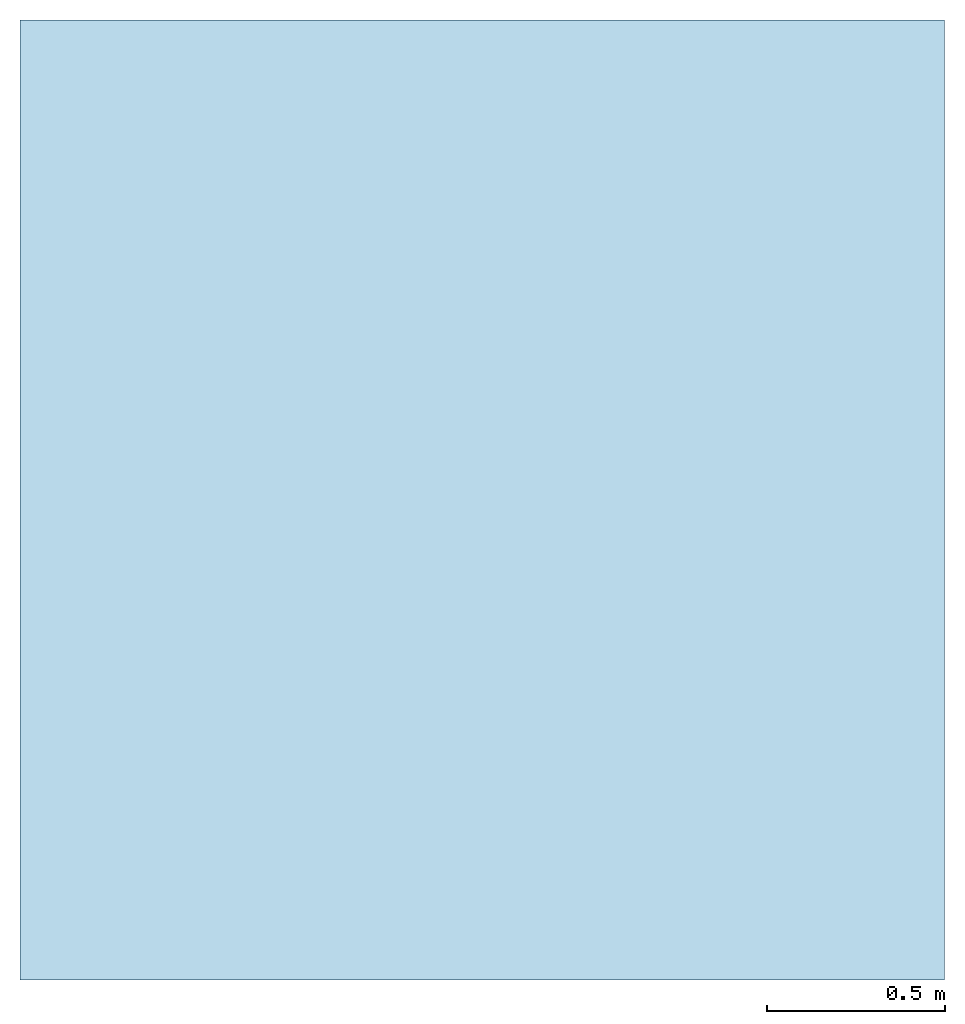
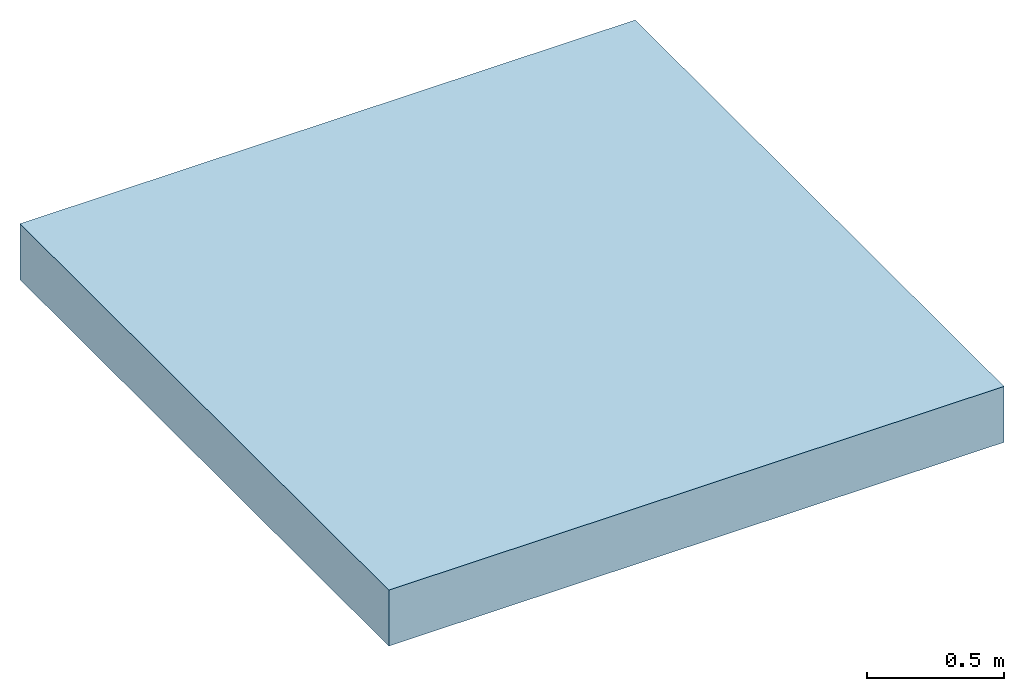
# One storey: 1 slab.
"""IFC4 building model written with IfcOpenShell, lengths in metres."""

from ifc_helpers import new_model, si_unit, direction, frame, origin, place, context, subcontext, project, spatial, polyline, outline, extrude, material, layer, layer_set, type_object, element, save


model = new_model("IFC4")

# Units and contexts
model_context = context("Model", 3, precision=1e-05, world=origin(), true_north=direction((0.0, 1.0)))
body_context = subcontext(model_context, "Body", "Model", "MODEL_VIEW")
ifc_project = project(units=[si_unit("LENGTHUNIT", "METRE"), si_unit("AREAUNIT", "SQUARE_METRE"), si_unit("VOLUMEUNIT", "CUBIC_METRE"), si_unit("PLANEANGLEUNIT", "RADIAN"), si_unit("MASSUNIT", "GRAM", prefix="KILO")], contexts=[model_context])

# Site, building, storey
site_placement = place(None, origin())
site = spatial("IfcSite", under=ifc_project, at=site_placement, CompositionType="ELEMENT")
building_placement = place(site_placement, origin())
building = spatial("IfcBuilding", under=site, at=building_placement, Name="Khuree Lantern Residences", CompositionType="ELEMENT")
storey_placement = place(building_placement, frame((0.0, 0.0, 370.39990234375)))
storey = spatial("IfcBuildingStorey", under=building, at=storey_placement, Name="ROOF-2", CompositionType="ELEMENT", Elevation=370.39990234375)

# Slab
ifc_material = material(Name="Concrete C40/50", Category="concrete")
ifc_layer = layer(ifc_material, 0.25)
ifc_layer_set = layer_set([ifc_layer], Name="ROOF PLANT ROOM ROOF RPR250")
slab_type = type_object("IfcSlabType", Name="ROOF PLANT ROOM ROOF RPR250", PredefinedType="ROOF", material=ifc_layer_set)
slab_placement = place(storey_placement, origin())
element("IfcSlab", 1, at=slab_placement, inside=storey, type_object=slab_type, Name="Roof access room roof", PredefinedType="ROOF", context=body_context, shape_type="SweptSolid", body=[
    extrude(outline(polyline([(2.39990234375, 9.75), (5.0, 9.75), (5.0, 12.449951171875), (2.39990234375, 12.449951171875), (2.39990234375, 9.75)])), origin(), (0.0, 0.0, 1.0), 0.25),
])

save(model, "model.ifc")
